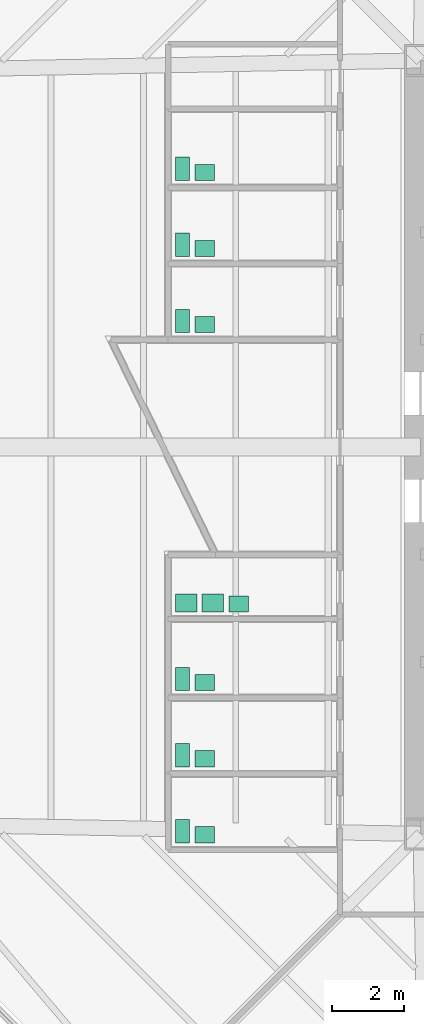
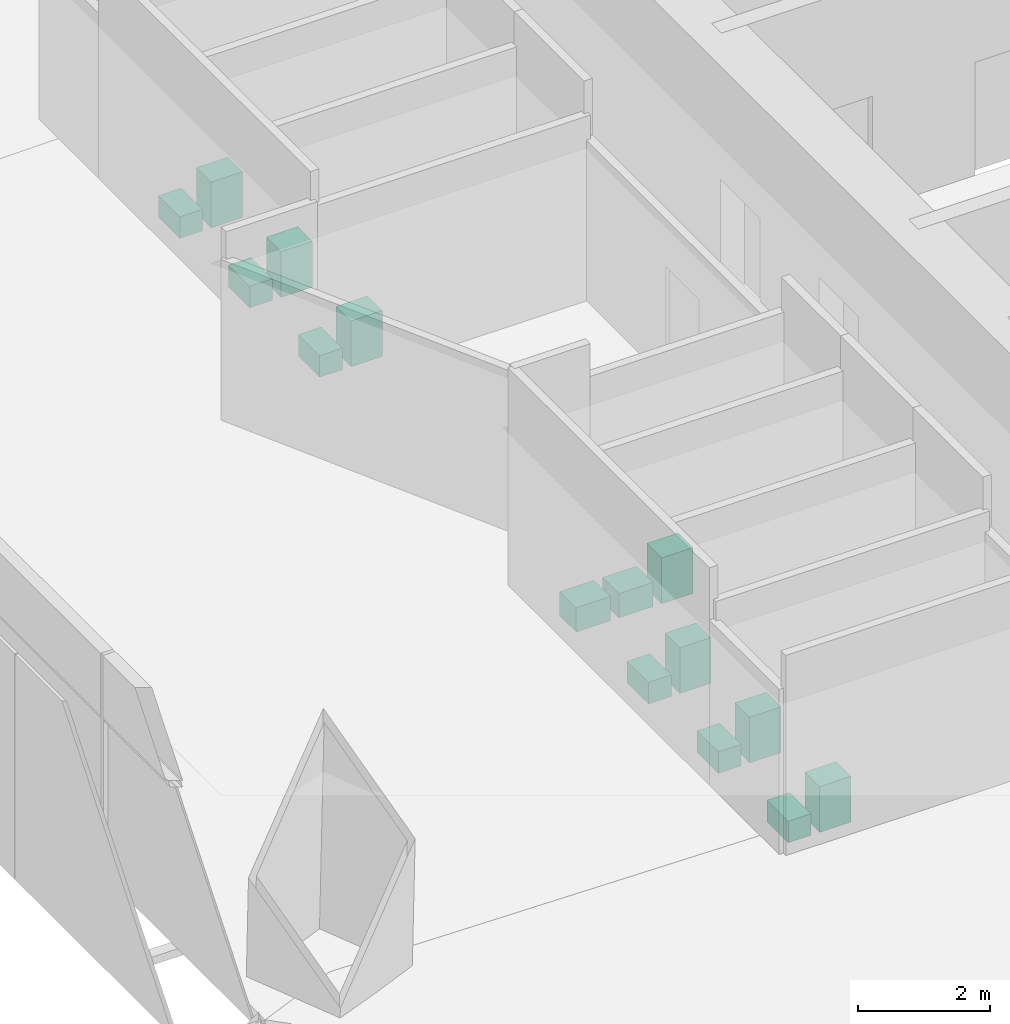
# One storey, part 14 of 14: 15 sanitary terminals.
"""IFC4 building model written with IfcOpenShell, lengths in metres."""

import ifcopenshell
import ifcopenshell.guid

model = None  # the IFC model being written
_history = None  # IfcOwnerHistory: only IFC2X3 demands one
_inside = {}  # id of a spatial element -> (the spatial element, [elements in it])
_under = {}  # id of a project, library or spatial element -> (it, [spatial elements below it])
_declared = {}  # id of a project -> (the project, [libraries it declares])
_typed = {}  # id of a type object -> (the type object, [elements of that type])
_made_of = {}  # id of a material, layer set ... -> (it, [elements and type objects made of it])


def new_model(schema):
    """Start an empty IFC model of exactly this schema.

    Asked for "IFC4X3", IfcOpenShell would pick the latest addendum, in which some entities
    have other attributes; the version numbers below select the first issue.
    IFC2X3 requires an IfcOwnerHistory on every rooted entity: one is made here for all.
    """
    global model, _history
    if schema == "IFC4X3":
        model = ifcopenshell.file(schema_version=(4, 3, 0, 0))
    else:
        model = ifcopenshell.file(schema=schema)
    _inside.clear()
    _under.clear()
    _declared.clear()
    _typed.clear()
    _made_of.clear()
    _history = None
    if model.schema == "IFC2X3":
        org = make("IfcOrganization", Name="unknown")
        user = make(
            "IfcPersonAndOrganization",
            ThePerson=make("IfcPerson", FamilyName="unknown"),
            TheOrganization=org,
        )
        app = make(
            "IfcApplication",
            ApplicationDeveloper=org,
            Version="unknown",
            ApplicationFullName="unknown",
            ApplicationIdentifier="unknown",
        )
        _history = make(
            "IfcOwnerHistory",
            OwningUser=user,
            OwningApplication=app,
            ChangeAction="ADDED",
            CreationDate=0,
        )
    return model


def make(cls, **values):
    """One entity of the class cls with the attributes given. An attribute that is None is left unset."""
    return model.create_entity(
        cls, **{name: value for name, value in values.items() if value is not None}
    )


def rooted(cls, **values):
    """An entity with a GlobalId (a new one), such as an element, a storey or a relation."""
    return make(cls, GlobalId=ifcopenshell.guid.new(), OwnerHistory=_history, **values)


def si_unit(unit_type, name, prefix=None):
    """IfcSIUnit, for example si_unit("LENGTHUNIT", "METRE", prefix="MILLI")."""
    return make("IfcSIUnit", UnitType=unit_type, Prefix=prefix, Name=name)


def assignment(units):
    """IfcUnitAssignment: the units of a project."""
    return None if units is None else make("IfcUnitAssignment", Units=units)


def point(xyz):
    """IfcCartesianPoint."""
    return None if xyz is None else make("IfcCartesianPoint", Coordinates=xyz)


def direction(xyz):
    """IfcDirection."""
    return None if xyz is None else make("IfcDirection", DirectionRatios=xyz)


def frame(location, z_axis=None, x_axis=None):
    """IfcAxis2Placement3D, a coordinate frame: its origin and axes. An axis left out is left unset."""
    return make(
        "IfcAxis2Placement3D",
        Location=point(location),
        Axis=direction(z_axis),
        RefDirection=direction(x_axis),
    )


def frame_2d(location, x_axis=None):
    """IfcAxis2Placement2D, a coordinate frame in the plane: its origin and x axis."""
    return make(
        "IfcAxis2Placement2D", Location=point(location), RefDirection=direction(x_axis)
    )


def origin():
    """The frame at (0, 0, 0) with its axes left unset."""
    return frame((0.0, 0.0, 0.0))


def origin_2d():
    """The frame at (0, 0) in the plane with its x axis left unset."""
    return frame_2d((0.0, 0.0))


def place(relative_to, where):
    """IfcLocalPlacement: puts the frame where relative to a parent placement (None: the world)."""
    return make(
        "IfcLocalPlacement", PlacementRelTo=relative_to, RelativePlacement=where
    )


def context(
    kind, dimensions, precision=None, world=None, true_north=None, identifier=None
):
    """IfcGeometricRepresentationContext, for example the 3D "Model" context."""
    return make(
        "IfcGeometricRepresentationContext",
        ContextIdentifier=identifier,
        ContextType=kind,
        CoordinateSpaceDimension=dimensions,
        Precision=precision,
        WorldCoordinateSystem=world,
        TrueNorth=true_north,
    )


def subcontext(parent, identifier, kind, view, scale=None):
    """IfcGeometricRepresentationSubContext, for example "Body" below "Model"."""
    return make(
        "IfcGeometricRepresentationSubContext",
        ContextIdentifier=identifier,
        ContextType=kind,
        ParentContext=parent,
        TargetScale=scale,
        TargetView=view,
    )


def project(units=None, contexts=None):
    """IfcProject with its units and contexts."""
    return rooted(
        "IfcProject",
        Name="project",
        RepresentationContexts=contexts,
        UnitsInContext=assignment(units),
    )


def spatial(cls, under=None, at=None, **own):
    """A site, building, storey or space (cls), placed at a placement, below another one or the project."""
    s = rooted(cls, ObjectPlacement=at, **own)
    if under is not None:
        _under.setdefault(under.id(), (under, []))[1].append(s)
    return s


def profile(cls, at=None, kind="AREA", **sizes):
    """A parametric profile (cls). Its sizes go by their IFC names, for example OverallWidth=200.0."""
    return make(cls, ProfileType=kind, Position=at, **sizes)


def rectangle(**sizes):
    """IfcRectangleProfileDef."""
    return profile("IfcRectangleProfileDef", **sizes)


def extrude(swept, where, along, depth):
    """IfcExtrudedAreaSolid: the profile swept, set in the frame where, extruded along a direction by depth."""
    return make(
        "IfcExtrudedAreaSolid",
        SweptArea=swept,
        Position=where,
        ExtrudedDirection=direction(along),
        Depth=depth,
    )


def shape(context_of_items, identifier, shape_type, items):
    """IfcShapeRepresentation: the items that make up one representation, for example the "Body"."""
    return make(
        "IfcShapeRepresentation",
        ContextOfItems=context_of_items,
        RepresentationIdentifier=identifier,
        RepresentationType=shape_type,
        Items=items,
    )


def material(Name=None, Category=None):
    """IfcMaterial."""
    return make("IfcMaterial", Name=Name, Category=Category)


def made_of(thing, what):
    """Note that an element or type object is made of a material, layer set ...; save() writes the relation."""
    if what is not None:
        _made_of.setdefault(what.id(), (what, []))[1].append(thing)
    return thing


def type_object(cls, material=None, **own):
    """A type object (cls), such as IfcWallType, which elements share."""
    return made_of(rooted(cls, **own), material)


def element(
    cls,
    number,
    at=None,
    inside=None,
    cuts=None,
    type_object=None,
    material=None,
    context=None,
    identifier="Body",
    shape_type=None,
    held_by="IfcProductDefinitionShape",
    body=None,
    shapes=None,
    **own,
):
    """One element of the class cls, such as IfcWall. Its Tag is "e" and its number.

    at: its placement. inside: the storey or other place that contains it. cuts: it is an
    opening in that element (IfcRelVoidsElement). A single representation is given by context,
    identifier, shape_type and body (its items); several are given by shapes. held_by: the class
    of the entity that holds the representations. save() writes the other relations.
    """
    e = rooted(cls, Tag="e%d" % number, ObjectPlacement=at, **own)
    if body is not None:
        shapes = [shape(context, identifier, shape_type, body)]
    if shapes is not None:
        e.Representation = make(held_by, Representations=shapes)
    if inside is not None:
        _inside.setdefault(inside.id(), (inside, []))[1].append(e)
    if cuts is not None:
        rooted(
            "IfcRelVoidsElement", RelatingBuildingElement=cuts, RelatedOpeningElement=e
        )
    if type_object is not None:
        _typed.setdefault(type_object.id(), (type_object, []))[1].append(e)
    return made_of(e, material)


def aggregate(whole, parts):
    """IfcRelAggregates: a whole, such as a stair, and the parts it consists of."""
    return rooted("IfcRelAggregates", RelatingObject=whole, RelatedObjects=parts)


def save(model, path):
    """Write the relations noted so far, then the file.

    IfcRelAggregates (storeys below a building ...), IfcRelContainedInSpatialStructure (elements
    in a storey), IfcRelDefinesByType, IfcRelAssociatesMaterial and IfcRelDeclares: one each for
    every whole, place, type object, material and project.
    """
    for whole, parts in _under.values():
        aggregate(whole, parts)
    for where, things in _inside.values():
        rooted(
            "IfcRelContainedInSpatialStructure",
            RelatedElements=things,
            RelatingStructure=where,
        )
    for kind, things in _typed.values():
        rooted("IfcRelDefinesByType", RelatedObjects=things, RelatingType=kind)
    for what, things in _made_of.values():
        rooted("IfcRelAssociatesMaterial", RelatedObjects=things, RelatingMaterial=what)
    for by, libraries in _declared.values():
        rooted("IfcRelDeclares", RelatingContext=by, RelatedDefinitions=libraries)
    model.write(path)


model = new_model("IFC4")

# Units and contexts
model_context = context("Model", 3, precision=1e-05, world=origin(), true_north=direction((0.0, 1.0)))
body_context = subcontext(model_context, "Body", "Model", "MODEL_VIEW")
ifc_project = project(units=[si_unit("LENGTHUNIT", "METRE"), si_unit("AREAUNIT", "SQUARE_METRE"), si_unit("VOLUMEUNIT", "CUBIC_METRE"), si_unit("PLANEANGLEUNIT", "RADIAN"), si_unit("MASSUNIT", "GRAM", prefix="KILO")], contexts=[model_context])

# Site, building, storey
site_placement = place(None, origin())
site = spatial("IfcSite", under=ifc_project, at=site_placement, CompositionType="ELEMENT")
building_placement = place(site_placement, origin())
building = spatial("IfcBuilding", under=site, at=building_placement, Name="Mashrafa Tower", CompositionType="ELEMENT")
storey_placement = place(building_placement, frame((0.0, 0.0, 33.0)))
storey = spatial("IfcBuildingStorey", under=building, at=storey_placement, Name="L06", CompositionType="ELEMENT", Elevation=33.0)

# Sanitary terminals
ifc_material_1 = material(Name="Stainless steel", Category="steel")
sanitary_terminal_type_1 = type_object("IfcSanitaryTerminalType", Name="Ablution wash station 600 x 500", PredefinedType="WASHHANDBASIN", material=ifc_material_1)
for number, where, z_axis, x_axis, name in (
    (1, (-17.35009765625, -4.35009765625, 0.0), (0.0, 0.0, 1.0), (1.0, 0.0, 0.0), "Ablution wash station Ablution Room L06 S"),
    (2, (-16.60009765625, -4.35009765625, 0.0), (0.0, 0.0, 1.0), (1.0, 0.0, 0.0), "Ablution wash station Ablution Room L06 S"),
):
    element("IfcSanitaryTerminal", number, at=place(storey_placement, frame(where, z_axis=z_axis, x_axis=x_axis)), inside=storey, type_object=sanitary_terminal_type_1, Name=name, PredefinedType="WASHHANDBASIN", context=body_context, shape_type="SweptSolid", body=[
        extrude(rectangle(XDim=0.60009765625, YDim=0.5, at=origin_2d()), origin(), (0.0, 0.0, 1.0), 0.449951171875),
    ])
ifc_material_2 = material(Name="Vitreous china")
sanitary_terminal_type_2 = type_object("IfcSanitaryTerminalType", Name="Toilet pan 400 x 650", PredefinedType="TOILETPAN", material=ifc_material_2)
for number, where, z_axis, x_axis, name in (
    (3, (-17.449951171875, 3.52490234375, 0.0), (0.0, 0.0, 1.0), (1.0, 0.0, 0.0), "Toilet pan WC Female L06 N"),
    (4, (-17.449951171875, 5.64990234375, 0.0), (0.0, 0.0, 1.0), (1.0, 0.0, 0.0), "Toilet pan WC Male L06 N"),
    (5, (-17.449951171875, 7.77490234375, 0.0), (0.0, 0.0, 1.0), (1.0, 0.0, 0.0), "Toilet pan Accessible WC L06 N"),
    (6, (-17.449951171875, -10.72509765625, 0.0), (0.0, 0.0, 1.0), (1.0, 0.0, 0.0), "Toilet pan WC Female L06 S"),
    (7, (-17.449951171875, -8.60009765625, 0.0), (0.0, 0.0, 1.0), (1.0, 0.0, 0.0), "Toilet pan WC Male L06 S"),
    (8, (-17.449951171875, -6.47509765625, 0.0), (0.0, 0.0, 1.0), (1.0, 0.0, 0.0), "Toilet pan Accessible WC L06 S"),
):
    element("IfcSanitaryTerminal", number, at=place(storey_placement, frame(where, z_axis=z_axis, x_axis=x_axis)), inside=storey, type_object=sanitary_terminal_type_2, Name=name, PredefinedType="TOILETPAN", context=body_context, shape_type="SweptSolid", body=[
        extrude(rectangle(XDim=0.39990234375, YDim=0.64990234375, at=origin_2d()), origin(), (0.0, 0.0, 1.0), 0.39990234375),
    ])
ifc_material_3 = material(Name="Vitreous china")
sanitary_terminal_type_3 = type_object("IfcSanitaryTerminalType", Name="Wash basin 550 x 450", PredefinedType="WASHHANDBASIN", material=ifc_material_3)
for number, where, z_axis, x_axis, name in (
    (9, (-16.824951171875, 3.425048828125, 0.0), (0.0, 0.0, 1.0), (1.0, 0.0, 0.0), "Wash basin WC Female L06 N"),
    (10, (-16.824951171875, 5.550048828125, 0.0), (0.0, 0.0, 1.0), (1.0, 0.0, 0.0), "Wash basin WC Male L06 N"),
    (11, (-16.824951171875, 7.675048828125, 0.0), (0.0, 0.0, 1.0), (1.0, 0.0, 0.0), "Wash basin Accessible WC L06 N"),
    (12, (-16.824951171875, -10.824951171875, 0.0), (0.0, 0.0, 1.0), (1.0, 0.0, 0.0), "Wash basin WC Female L06 S"),
    (13, (-16.824951171875, -8.699951171875, 0.0), (0.0, 0.0, 1.0), (1.0, 0.0, 0.0), "Wash basin WC Male L06 S"),
    (14, (-16.824951171875, -6.574951171875, 0.0), (0.0, 0.0, 1.0), (1.0, 0.0, 0.0), "Wash basin Accessible WC L06 S"),
    (15, (-15.875, -4.375, 0.0), (0.0, 0.0, 1.0), (1.0, 0.0, 0.0), "Wash basin Ablution Room L06 S"),
):
    element("IfcSanitaryTerminal", number, at=place(storey_placement, frame(where, z_axis=z_axis, x_axis=x_axis)), inside=storey, type_object=sanitary_terminal_type_3, Name=name, PredefinedType="WASHHANDBASIN", context=body_context, shape_type="SweptSolid", body=[
        extrude(rectangle(XDim=0.550048828125, YDim=0.449951171875, at=origin_2d()), origin(), (0.0, 0.0, 1.0), 0.85009765625),
    ])

save(model, "model.ifc")
